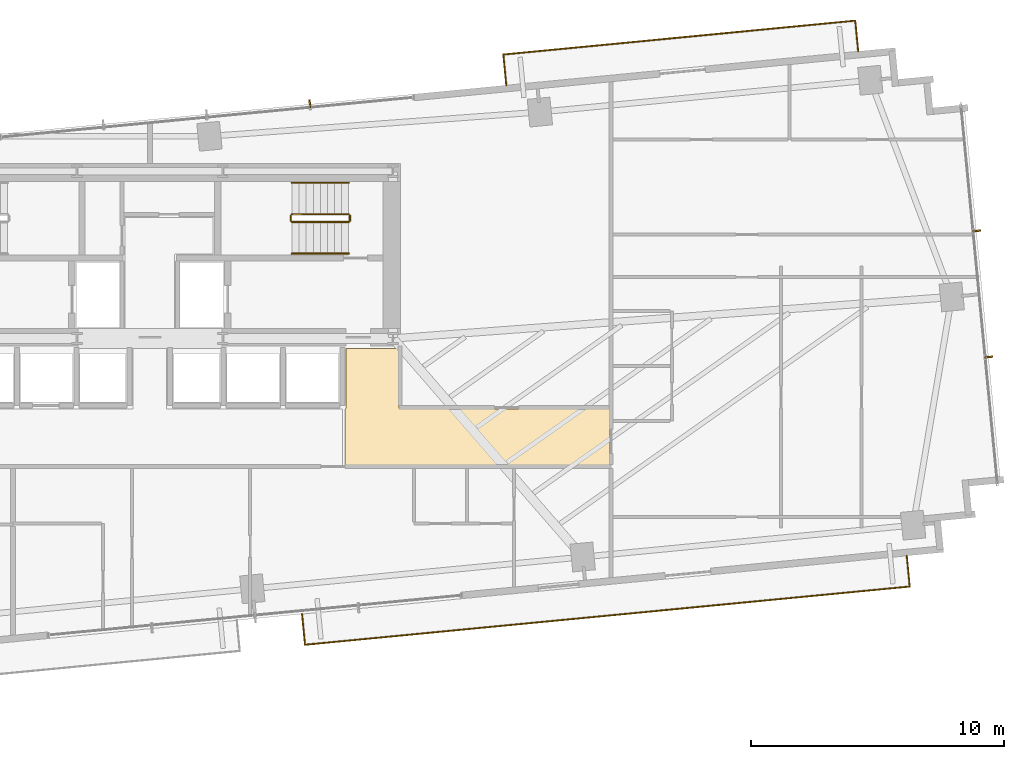
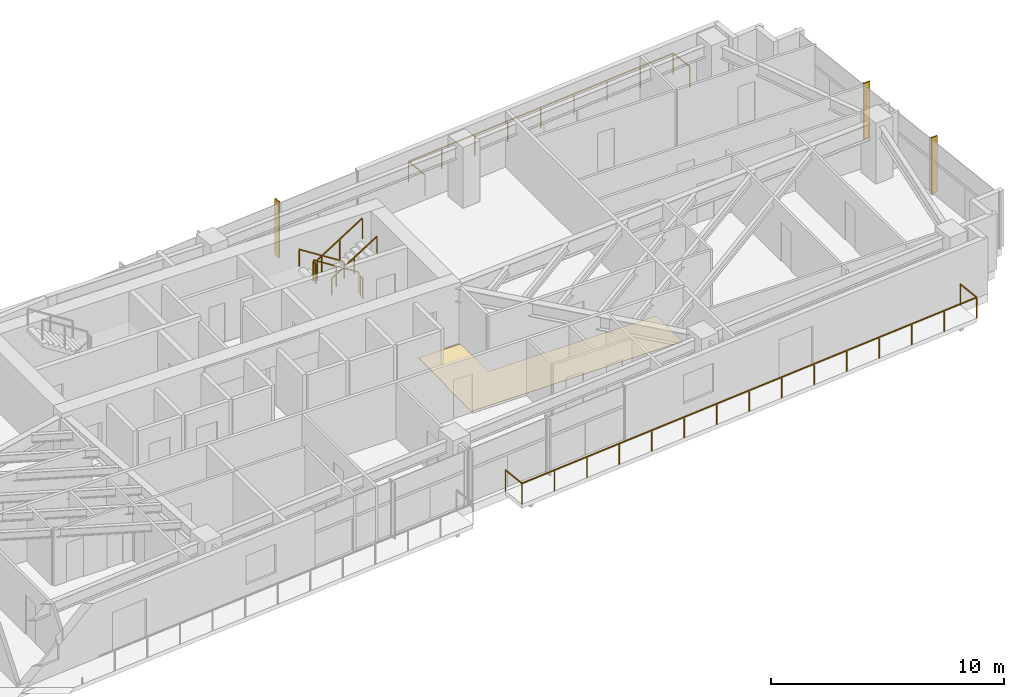
# One storey, part 25 of 25: 8 railings, 3 shading devices, 1 covering.
"""IFC4 building model written with IfcOpenShell, lengths in metres."""

from ifc_helpers import new_model, si_unit, direction, frame, origin, origin_2d, place, context, subcontext, project, spatial, polyline, rectangle, outline, extrude, source, transform, mapped, material, layer, layer_set, type_object, type_shapes, element, save


model = new_model("IFC4")

# Units and contexts
model_context = context("Model", 3, precision=1e-05, world=origin(), true_north=direction((0.0, 1.0)))
body_context = subcontext(model_context, "Body", "Model", "MODEL_VIEW")
ifc_project = project(units=[si_unit("LENGTHUNIT", "METRE"), si_unit("AREAUNIT", "SQUARE_METRE"), si_unit("VOLUMEUNIT", "CUBIC_METRE"), si_unit("PLANEANGLEUNIT", "RADIAN"), si_unit("MASSUNIT", "GRAM", prefix="KILO")], contexts=[model_context])

# Site, building, storey
site_placement = place(None, origin())
site = spatial("IfcSite", under=ifc_project, at=site_placement, CompositionType="ELEMENT")
building_placement = place(site_placement, origin())
building = spatial("IfcBuilding", under=site, at=building_placement, Name="Astriad Promenade Condominiums", CompositionType="ELEMENT")
storey_placement = place(building_placement, frame((0.0, 0.0, 77.800048828125)))
storey = spatial("IfcBuildingStorey", under=building, at=storey_placement, Name="L21", CompositionType="ELEMENT", Elevation=77.800048828125)

# Covering
ifc_material_1 = material(Name="Polished Lakefront Terrazzo Flooring")
ifc_layer = layer(ifc_material_1, 0.02001953125)
ifc_layer_set = layer_set([ifc_layer], Name="Polished Lakefront Terrazzo Flooring")
covering_type = type_object("IfcCoveringType", Name="COV-FLOR-TERRAZZO-20", PredefinedType="FLOORING", material=ifc_layer_set)
covering_placement = place(storey_placement, origin())
element("IfcCovering", 1, at=covering_placement, inside=storey, type_object=covering_type, Name="FLR-L21-COR-1", PredefinedType="FLOORING", context=body_context, shape_type="SweptSolid", body=[
    extrude(outline(polyline([(43.699951171875, 12.389892578125), (43.699951171875, 14.610107421875), (43.703857421875, 14.610107421875), (43.707763671875, 14.61083984375), (43.711669921875, 14.61181640625), (43.71533203125, 14.613037109375), (43.718994140625, 14.61474609375), (43.72216796875, 14.61669921875), (43.725341796875, 14.619140625), (43.728271484375, 14.62158203125), (43.73095703125, 14.62451171875), (43.7333984375, 14.627685546875), (43.7353515625, 14.631103515625), (43.737060546875, 14.634765625), (43.73828125, 14.638427734375), (43.7392578125, 14.64208984375), (43.73974609375, 14.64599609375), (43.739990234375, 14.64990234375), (43.739990234375, 17.010009765625), (45.840087890625, 17.010009765625), (45.840087890625, 14.659912109375), (45.840087890625, 14.656005859375), (45.8408203125, 14.652099609375), (45.841796875, 14.6484375), (45.843017578125, 14.644775390625), (45.8447265625, 14.64111328125), (45.8466796875, 14.6376953125), (45.84912109375, 14.634521484375), (45.851806640625, 14.631591796875), (45.8544921875, 14.629150390625), (45.85791015625, 14.626708984375), (45.861083984375, 14.624755859375), (45.86474609375, 14.623046875), (45.868408203125, 14.62158203125), (45.872314453125, 14.620849609375), (45.876220703125, 14.6201171875), (45.8798828125, 14.6201171875), (54.159912109375, 14.6201171875), (54.159912109375, 12.389892578125), (43.699951171875, 12.389892578125)])), origin(), (0.0, 0.0, 1.0), 0.02001953125),
])

# Shading devices
ifc_material_2 = material(Name="Anodised aluminium 6063-T6 Black Fin", Category="aluminium")
shading_device_type = type_object("IfcShadingDeviceType", Name="FIN-BLACK-320", PredefinedType="USERDEFINED", material=ifc_material_2)
shared_shape_1 = source(origin(), body_context, "Body", "SweptSolid", [
    extrude(rectangle(XDim=0.06494140625, YDim=0.320068359375, at=origin_2d()), origin(), (0.0, 0.0, 1.0), 2.93994140625),
])
type_shapes(shading_device_type, [shared_shape_1])
for number, where, z_axis, x_axis, name in (
    (2, (42.31689453125, 26.656494140625, 0.0), (0.0, 0.0, 1.0), (0.995396198367, 0.09584575252, 0.0), "CW-L21-N-FIN-03"),
    (3, (68.63330078125, 21.6455078125, 0.0), (0.0, 0.0, 1.0), (0.09584575252, -0.995396198367, 0.0), "CW-L21-E-FIN-01"),
    (4, (69.1123046875, 16.668701171875, 0.0), (0.0, 0.0, 1.0), (0.09584575252, -0.995396198367, 0.0), "CW-L21-E-FIN-02"),
):
    element("IfcShadingDevice", number, at=place(storey_placement, frame(where, z_axis=z_axis, x_axis=x_axis)), inside=storey, type_object=shading_device_type, Name=name, ObjectType="FIN", PredefinedType="USERDEFINED", context=body_context, shape_type="MappedRepresentation", body=[
        mapped(shared_shape_1, transform((0.0, 0.0, 0.0), scale=1.0)),
    ])

# Railings
ifc_material_3 = material(Name="Laminated Glass and Stainless Steel Balustrade", Category="steel")
railing_type_1 = type_object("IfcRailingType", Name="GRD-BALC-1120", PredefinedType="BALUSTRADE", material=ifc_material_3)
shared_shape_2 = source(origin(), body_context, "Body", "SweptSolid", [
    extrude(rectangle(XDim=0.048095703125, YDim=0.048095703125, at=origin_2d()), frame((0.0, 0.0, 1.09619140625), z_axis=(0.095857307208, -0.99539508571, 0.0), x_axis=(0.99539508571, 0.095857307208, 0.0)), (0.0, 0.0, 1.0), 1.219970703125),
    extrude(rectangle(XDim=0.048095703125, YDim=0.048095703125, at=origin_2d()), frame((0.116943359375, -1.21435546875, 1.09619140625), z_axis=(0.995396373437, 0.095843934331, 0.0), x_axis=(-0.095843934331, 0.995396373437, 0.0)), (0.0, 0.0, 1.0), 23.97998046875),
    extrude(rectangle(XDim=0.048095703125, YDim=0.048095703125, at=origin_2d()), frame((23.986572265625, 1.083984375, 1.09619140625), z_axis=(-0.095857307208, 0.99539508571, 0.0), x_axis=(-0.99539508571, -0.095857307208, 0.0)), (0.0, 0.0, 1.0), 1.219970703125),
    extrude(rectangle(XDim=0.0419921875, YDim=0.0419921875, at=origin_2d()), origin(), (0.0, 0.0, 1.0), 1.072021484375),
    extrude(rectangle(XDim=0.0419921875, YDim=0.0419921875, at=origin_2d()), frame((0.116943359375, -1.21435546875, 0.0)), (0.0, 0.0, 1.0), 1.072021484375),
    extrude(rectangle(XDim=0.0419921875, YDim=0.0419921875, at=origin_2d()), frame((1.822021484375, -1.05029296875, 0.0)), (0.0, 0.0, 1.0), 1.072021484375),
    extrude(rectangle(XDim=0.0419921875, YDim=0.0419921875, at=origin_2d()), frame((3.52685546875, -0.885986328125, 0.0)), (0.0, 0.0, 1.0), 1.072021484375),
    extrude(rectangle(XDim=0.0419921875, YDim=0.0419921875, at=origin_2d()), frame((5.23193359375, -0.721923828125, 0.0)), (0.0, 0.0, 1.0), 1.072021484375),
    extrude(rectangle(XDim=0.0419921875, YDim=0.0419921875, at=origin_2d()), frame((6.936767578125, -0.5576171875, 0.0)), (0.0, 0.0, 1.0), 1.072021484375),
    extrude(rectangle(XDim=0.0419921875, YDim=0.0419921875, at=origin_2d()), frame((8.641845703125, -0.3935546875, 0.0)), (0.0, 0.0, 1.0), 1.072021484375),
    extrude(rectangle(XDim=0.0419921875, YDim=0.0419921875, at=origin_2d()), frame((10.3466796875, -0.229248046875, 0.0)), (0.0, 0.0, 1.0), 1.072021484375),
    extrude(rectangle(XDim=0.0419921875, YDim=0.0419921875, at=origin_2d()), frame((12.0517578125, -0.065185546875, 0.0)), (0.0, 0.0, 1.0), 1.072021484375),
    extrude(rectangle(XDim=0.0419921875, YDim=0.0419921875, at=origin_2d()), frame((13.7568359375, 0.098876953125, 0.0)), (0.0, 0.0, 1.0), 1.072021484375),
    extrude(rectangle(XDim=0.0419921875, YDim=0.0419921875, at=origin_2d()), frame((15.461669921875, 0.26318359375, 0.0)), (0.0, 0.0, 1.0), 1.072021484375),
    extrude(rectangle(XDim=0.0419921875, YDim=0.0419921875, at=origin_2d()), frame((17.166748046875, 0.42724609375, 0.0)), (0.0, 0.0, 1.0), 1.072021484375),
    extrude(rectangle(XDim=0.0419921875, YDim=0.0419921875, at=origin_2d()), frame((18.87158203125, 0.591552734375, 0.0)), (0.0, 0.0, 1.0), 1.072021484375),
    extrude(rectangle(XDim=0.0419921875, YDim=0.0419921875, at=origin_2d()), frame((20.57666015625, 0.755615234375, 0.0)), (0.0, 0.0, 1.0), 1.072021484375),
    extrude(rectangle(XDim=0.0419921875, YDim=0.0419921875, at=origin_2d()), frame((22.281494140625, 0.919921875, 0.0)), (0.0, 0.0, 1.0), 1.072021484375),
    extrude(rectangle(XDim=0.0419921875, YDim=0.0419921875, at=origin_2d()), frame((23.986572265625, 1.083984375, 0.0)), (0.0, 0.0, 1.0), 1.072021484375),
    extrude(rectangle(XDim=0.0419921875, YDim=0.0419921875, at=origin_2d()), frame((23.86962890625, 2.29833984375, 0.0)), (0.0, 0.0, 1.0), 1.072021484375),
])
railing_1_placement = place(storey_placement, frame((42.005859375, 6.52392578125, 0.0)))
element("IfcRailing", 5, at=railing_1_placement, inside=storey, type_object=railing_type_1, Name="GRD-BALC-L21-SE", PredefinedType="BALUSTRADE", context=body_context, shape_type="MappedRepresentation", body=[
    mapped(shared_shape_2, transform((0.0, 0.0, 0.0), scale=1.0)),
])
shared_shape_3 = source(origin(), body_context, "Body", "SweptSolid", [
    extrude(rectangle(XDim=0.048095703125, YDim=0.048095703125, at=origin_2d()), frame((0.0, 0.0, 1.09619140625), z_axis=(-0.095659020692, 0.99541416092, 0.0), x_axis=(-0.99541416092, -0.095659020692, 0.0)), (0.0, 0.0, 1.0), 1.219970703125),
    extrude(rectangle(XDim=0.048095703125, YDim=0.048095703125, at=origin_2d()), frame((-0.11669921875, 1.21435546875, 1.09619140625), z_axis=(-0.995396103456, -0.095846738209, 0.0), x_axis=(0.095846738209, -0.995396103456, 0.0)), (0.0, 0.0, 1.0), 13.9560546875),
    extrude(rectangle(XDim=0.048095703125, YDim=0.048095703125, at=origin_2d()), frame((-14.008544921875, -0.123291015625, 1.09619140625), z_axis=(0.095857307208, -0.99539508571, 0.0), x_axis=(0.99539508571, 0.095857307208, 0.0)), (0.0, 0.0, 1.0), 1.219970703125),
    extrude(rectangle(XDim=0.0419921875, YDim=0.0419921875, at=origin_2d()), origin(), (0.0, 0.0, 1.0), 1.072021484375),
    extrude(rectangle(XDim=0.0419921875, YDim=0.0419921875, at=origin_2d()), frame((-0.11669921875, 1.21435546875, 0.0)), (0.0, 0.0, 1.0), 1.072021484375),
    extrude(rectangle(XDim=0.0419921875, YDim=0.0419921875, at=origin_2d()), frame((-1.853271484375, 1.047119140625, 0.0)), (0.0, 0.0, 1.0), 1.072021484375),
    extrude(rectangle(XDim=0.0419921875, YDim=0.0419921875, at=origin_2d()), frame((-3.589599609375, 0.8798828125, 0.0)), (0.0, 0.0, 1.0), 1.072021484375),
    extrude(rectangle(XDim=0.0419921875, YDim=0.0419921875, at=origin_2d()), frame((-5.326171875, 0.712646484375, 0.0)), (0.0, 0.0, 1.0), 1.072021484375),
    extrude(rectangle(XDim=0.0419921875, YDim=0.0419921875, at=origin_2d()), frame((-7.0625, 0.54541015625, 0.0)), (0.0, 0.0, 1.0), 1.072021484375),
    extrude(rectangle(XDim=0.0419921875, YDim=0.0419921875, at=origin_2d()), frame((-8.799072265625, 0.37841796875, 0.0)), (0.0, 0.0, 1.0), 1.072021484375),
    extrude(rectangle(XDim=0.0419921875, YDim=0.0419921875, at=origin_2d()), frame((-10.53564453125, 0.211181640625, 0.0)), (0.0, 0.0, 1.0), 1.072021484375),
    extrude(rectangle(XDim=0.0419921875, YDim=0.0419921875, at=origin_2d()), frame((-12.27197265625, 0.0439453125, 0.0)), (0.0, 0.0, 1.0), 1.072021484375),
    extrude(rectangle(XDim=0.0419921875, YDim=0.0419921875, at=origin_2d()), frame((-14.008544921875, -0.123291015625, 0.0)), (0.0, 0.0, 1.0), 1.072021484375),
    extrude(rectangle(XDim=0.0419921875, YDim=0.0419921875, at=origin_2d()), frame((-13.8916015625, -1.337646484375, 0.0)), (0.0, 0.0, 1.0), 1.072021484375),
])
type_shapes(railing_type_1, [shared_shape_2, shared_shape_3])
railing_2_placement = place(storey_placement, frame((63.95849609375, 28.730224609375, 0.0)))
element("IfcRailing", 6, at=railing_2_placement, inside=storey, type_object=railing_type_1, Name="GRD-BALC-L21-NE", PredefinedType="BALUSTRADE", context=body_context, shape_type="MappedRepresentation", body=[
    mapped(shared_shape_3, transform((0.0, 0.0, 0.0), scale=1.0)),
])
ifc_material_4 = material(Name="Painted Galvanised Steel Guardrail", Category="steel")
railing_type_2 = type_object("IfcRailingType", Name="GRD-STAIR-1100", PredefinedType="GUARDRAIL", material=ifc_material_4)
shared_shape_4 = source(origin(), body_context, "Body", "SweptSolid", [
    extrude(rectangle(XDim=0.048095703125, YDim=0.048095703125, at=origin_2d()), frame((0.0, 0.0, 1.076171875), z_axis=(-0.8442293374, 0.0, 0.53598211339), x_axis=(0.0, -1.0, 0.0)), (0.0, 0.0, 1.0), 2.6533203125),
    extrude(rectangle(XDim=0.0419921875, YDim=0.0419921875, at=origin_2d()), origin(), (0.0, 0.0, 1.0), 1.052001953125),
    extrude(rectangle(XDim=0.0419921875, YDim=0.0419921875, at=origin_2d()), frame((-1.1201171875, 0.0, 0.7109375)), (0.0, 0.0, 1.0), 1.052001953125),
    extrude(rectangle(XDim=0.0419921875, YDim=0.0419921875, at=origin_2d()), frame((-2.239990234375, 0.0, 1.422119140625)), (0.0, 0.0, 1.0), 1.052001953125),
])
railing_3_placement = place(storey_placement, frame((43.85009765625, 22.300048828125, 0.177734375)))
element("IfcRailing", 7, at=railing_3_placement, inside=storey, type_object=railing_type_2, Name="L21 ST-2 stair guard 1", PredefinedType="GUARDRAIL", context=body_context, shape_type="MappedRepresentation", body=[
    mapped(shared_shape_4, transform((0.0, 0.0, 0.0), scale=1.0)),
])
ifc_material_5 = material(Name="Brushed Stainless Steel Handrail", Category="steel")
railing_type_3 = type_object("IfcRailingType", Name="HRL-STAIR-920", PredefinedType="HANDRAIL", material=ifc_material_5)
shared_shape_5 = source(origin(), body_context, "Body", "SweptSolid", [
    extrude(rectangle(XDim=0.048095703125, YDim=0.048095703125, at=origin_2d()), frame((0.0, 0.0, 0.8759765625), z_axis=(-0.8442293374, 0.0, 0.53598211339), x_axis=(0.0, -1.0, 0.0)), (0.0, 0.0, 1.0), 2.6533203125),
    extrude(rectangle(XDim=0.0419921875, YDim=0.0419921875, at=origin_2d()), origin(), (0.0, 0.0, 1.0), 0.851806640625),
    extrude(rectangle(XDim=0.0419921875, YDim=0.0419921875, at=origin_2d()), frame((-1.1201171875, 0.0, 0.7109375)), (0.0, 0.0, 1.0), 0.851806640625),
    extrude(rectangle(XDim=0.0419921875, YDim=0.0419921875, at=origin_2d()), frame((-2.239990234375, 0.0, 1.422119140625)), (0.0, 0.0, 1.0), 0.851806640625),
])
railing_4_placement = place(storey_placement, frame((43.85009765625, 23.550048828125, 0.177734375)))
element("IfcRailing", 8, at=railing_4_placement, inside=storey, type_object=railing_type_3, Name="L21 ST-2 stair handrail 1", PredefinedType="HANDRAIL", context=body_context, shape_type="MappedRepresentation", body=[
    mapped(shared_shape_5, transform((0.0, 0.0, 0.0), scale=1.0)),
])
shared_shape_6 = source(origin(), body_context, "Body", "SweptSolid", [
    extrude(rectangle(XDim=0.048095703125, YDim=0.048095703125, at=origin_2d()), frame((0.0, 0.0, 1.076171875), z_axis=(0.8442293374, 0.0, 0.53598211339), x_axis=(0.0, 1.0, 0.0)), (0.0, 0.0, 1.0), 2.6533203125),
    extrude(rectangle(XDim=0.0419921875, YDim=0.0419921875, at=origin_2d()), origin(), (0.0, 0.0, 1.0), 1.052001953125),
    extrude(rectangle(XDim=0.0419921875, YDim=0.0419921875, at=origin_2d()), frame((1.1201171875, 0.0, 0.7109375)), (0.0, 0.0, 1.0), 1.052001953125),
    extrude(rectangle(XDim=0.0419921875, YDim=0.0419921875, at=origin_2d()), frame((2.239990234375, 0.0, 1.422119140625)), (0.0, 0.0, 1.0), 1.052001953125),
])
railing_5_placement = place(storey_placement, frame((41.610107421875, 22.0, 1.77783203125)))
element("IfcRailing", 9, at=railing_5_placement, inside=storey, type_object=railing_type_2, Name="L21 ST-2 stair guard 3", PredefinedType="GUARDRAIL", context=body_context, shape_type="MappedRepresentation", body=[
    mapped(shared_shape_6, transform((0.0, 0.0, 0.0), scale=1.0)),
])
shared_shape_7 = source(origin(), body_context, "Body", "SweptSolid", [
    extrude(rectangle(XDim=0.048095703125, YDim=0.048095703125, at=origin_2d()), frame((0.0, 0.0, 0.8759765625), z_axis=(0.8442293374, 0.0, 0.53598211339), x_axis=(0.0, 1.0, 0.0)), (0.0, 0.0, 1.0), 2.6533203125),
    extrude(rectangle(XDim=0.0419921875, YDim=0.0419921875, at=origin_2d()), origin(), (0.0, 0.0, 1.0), 0.851806640625),
    extrude(rectangle(XDim=0.0419921875, YDim=0.0419921875, at=origin_2d()), frame((1.1201171875, 0.0, 0.7109375)), (0.0, 0.0, 1.0), 0.851806640625),
    extrude(rectangle(XDim=0.0419921875, YDim=0.0419921875, at=origin_2d()), frame((2.239990234375, 0.0, 1.422119140625)), (0.0, 0.0, 1.0), 0.851806640625),
])
type_shapes(railing_type_3, [shared_shape_5, shared_shape_7])
railing_6_placement = place(storey_placement, frame((41.610107421875, 20.75, 1.77783203125)))
element("IfcRailing", 10, at=railing_6_placement, inside=storey, type_object=railing_type_3, Name="L21 ST-2 stair handrail 2", PredefinedType="HANDRAIL", context=body_context, shape_type="MappedRepresentation", body=[
    mapped(shared_shape_7, transform((0.0, 0.0, 0.0), scale=1.0)),
])
shared_shape_8 = source(origin(), body_context, "Body", "SweptSolid", [
    extrude(rectangle(XDim=0.048095703125, YDim=0.048095703125, at=origin_2d()), frame((0.0, 0.0, 1.076171875), z_axis=(0.0, -1.0, 0.0), x_axis=(1.0, 0.0, 0.0)), (0.0, 0.0, 1.0), 0.199951171875),
    extrude(rectangle(XDim=0.0419921875, YDim=0.0419921875, at=origin_2d()), origin(), (0.0, 0.0, 1.0), 1.052001953125),
    extrude(rectangle(XDim=0.0419921875, YDim=0.0419921875, at=origin_2d()), frame((0.0, -0.199951171875, 0.0)), (0.0, 0.0, 1.0), 1.052001953125),
])
type_shapes(railing_type_2, [shared_shape_4, shared_shape_6, shared_shape_8])
for number, where, name in (
    (11, (41.56005859375, 22.25, 1.599853515625), "L21 ST-2 stair guard 2"),
    (12, (43.89990234375, 22.25, 0.0), "L21 ST-2 stair guard 4"),
):
    element("IfcRailing", number, at=place(storey_placement, frame(where)), inside=storey, type_object=railing_type_2, Name=name, PredefinedType="GUARDRAIL", context=body_context, shape_type="MappedRepresentation", body=[
        mapped(shared_shape_8, transform((0.0, 0.0, 0.0), scale=1.0)),
    ])

save(model, "model.ifc")
